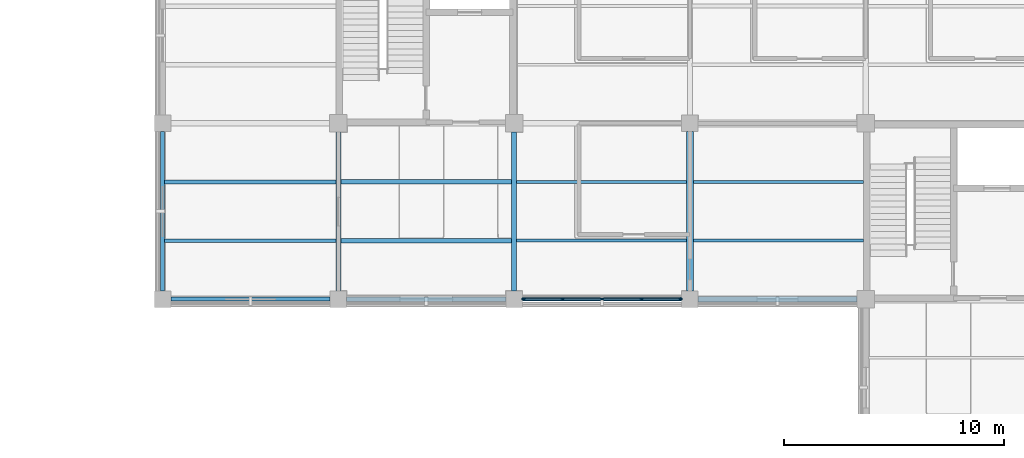
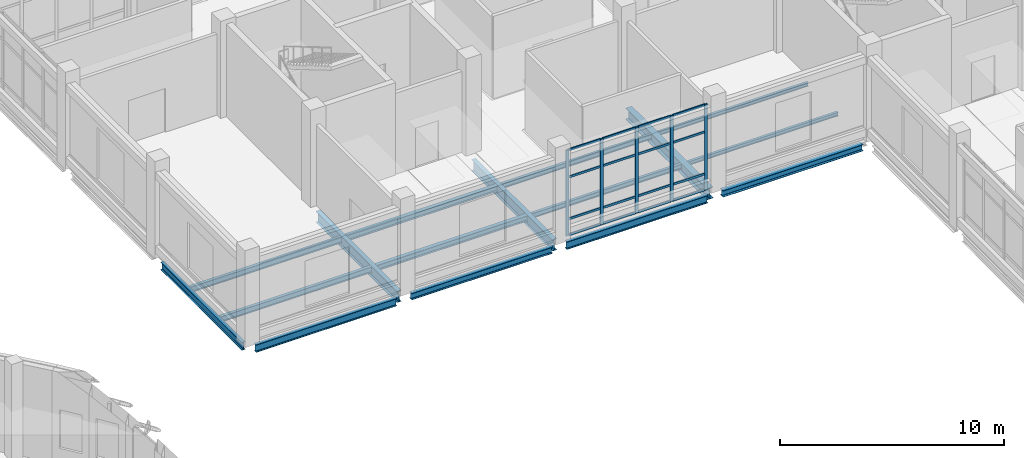
# One storey, part 42 of 105: 21 members, 16 beams, 1 element without a shape of its own.
"""IFC4 building model written with IfcOpenShell, lengths in metres."""

from ifc_helpers import new_model, si_unit, derived_unit, direction, frame, origin, origin_2d, place, context, subcontext, project, spatial, rectangle, i_section, extrude, material, layer, layer_set, material_profile, profile_set, type_object, element, aggregate, save


model = new_model("IFC4")

# Units and contexts
model_context = context("Model", 3, precision=1e-05, world=origin(), true_north=direction((0.0, 1.0)))
body_context = subcontext(model_context, "Body", "Model", "MODEL_VIEW")
ifc_project = project(units=[si_unit("LENGTHUNIT", "METRE"), si_unit("AREAUNIT", "SQUARE_METRE"), si_unit("VOLUMEUNIT", "CUBIC_METRE"), si_unit("PLANEANGLEUNIT", "RADIAN"), si_unit("MASSUNIT", "GRAM", prefix="KILO"), derived_unit("THERMALTRANSMITTANCEUNIT", [(si_unit("MASSUNIT", "GRAM", prefix="KILO"), 1), (si_unit("TIMEUNIT", "SECOND"), -3), (si_unit("THERMODYNAMICTEMPERATUREUNIT", "KELVIN"), -1)])], contexts=[model_context])

# Site, building, storey
site_placement = place(None, origin())
site = spatial("IfcSite", under=ifc_project, at=site_placement, CompositionType="ELEMENT")
building_placement = place(site_placement, origin())
building = spatial("IfcBuilding", under=site, at=building_placement, Name="Veyamyaing Civic Hall", CompositionType="ELEMENT")
storey_placement = place(building_placement, origin())
storey = spatial("IfcBuildingStorey", under=building, at=storey_placement, Name="L00", CompositionType="ELEMENT", Elevation=0.0)

# Beams
ifc_material_1 = material(Name="Steel ASTM A992", Category="steel")
ifc_material_profile_1 = material_profile(ifc_material_1, i_section(OverallWidth=0.22998046875, OverallDepth=0.616943359375, WebThickness=0.01318359375, FlangeThickness=0.022216796875, FilletRadius=0.012939453125, at=origin_2d()), Name="W610X140")
ifc_profile_set_1 = profile_set([ifc_material_profile_1], Name="Steel ASTM A992")
beam_type_1 = type_object("IfcBeamType", Name="B-05", PredefinedType="BEAM", material=ifc_profile_set_1)
beam_1_placement = place(storey_placement, frame((136.0, 88.375, -0.58349609375), z_axis=(0.0, 1.0, 0.0), x_axis=(-1.0, 0.0, 0.0)))
element("IfcBeam", 1, at=beam_1_placement, inside=storey, type_object=beam_type_1, Name="Girder B-05 L00 Grid 18 M-N", PredefinedType="BEAM", context=body_context, shape_type="SweptSolid", body=[
    extrude(i_section(OverallWidth=0.22998046875, OverallDepth=0.616943359375, WebThickness=0.01318359375, FlangeThickness=0.022216796875, FilletRadius=0.012939453125, at=origin_2d()), origin(), (0.0, 0.0, 1.0), 7.22509765625),
])
ifc_material_profile_2 = material_profile(ifc_material_1, i_section(OverallWidth=0.22802734375, OverallDepth=0.60791015625, WebThickness=0.01123046875, FlangeThickness=0.017333984375, FilletRadius=0.012939453125, at=origin_2d()), Name="W610X113")
ifc_profile_set_2 = profile_set([ifc_material_profile_2], Name="Steel ASTM A992")
beam_type_2 = type_object("IfcBeamType", Name="B-06", PredefinedType="BEAM", material=ifc_profile_set_2)
beam_2_placement = place(storey_placement, frame((144.0, 88.375, -0.5791015625), z_axis=(0.0, 1.0, 0.0), x_axis=(-1.0, 0.0, 0.0)))
element("IfcBeam", 2, at=beam_2_placement, inside=storey, type_object=beam_type_2, Name="Girder B-06 L00 Grid 19 M-N", PredefinedType="BEAM", context=body_context, shape_type="SweptSolid", body=[
    extrude(i_section(OverallWidth=0.22802734375, OverallDepth=0.60791015625, WebThickness=0.01123046875, FlangeThickness=0.017333984375, FilletRadius=0.012939453125, at=origin_2d()), origin(), (0.0, 0.0, 1.0), 7.22509765625),
])
ifc_material_profile_3 = material_profile(ifc_material_1, i_section(OverallWidth=0.179931640625, OverallDepth=0.4130859375, WebThickness=0.009765625, FlangeThickness=0.01611328125, FilletRadius=0.010009765625, at=origin_2d()), Name="W410X74")
ifc_profile_set_3 = profile_set([ifc_material_profile_3], Name="Steel ASTM A992")
beam_type_3 = type_object("IfcBeamType", Name="B-10", PredefinedType="SPANDREL", material=ifc_profile_set_3)
for number, where, z_axis, x_axis, name in (
    (3, (128.375, 88.0, -0.4814453125), (1.0, 0.0, 0.0), (0.0, 1.0, 0.0), "Girder B-10 L00 Grid M 17-18"),
    (4, (128.0, 88.375, -0.4814453125), (0.0, 1.0, 0.0), (-1.0, 0.0, 0.0), "Girder B-10 L00 Grid 17 M-N"),
):
    element("IfcBeam", number, at=place(storey_placement, frame(where, z_axis=z_axis, x_axis=x_axis)), inside=storey, type_object=beam_type_3, Name=name, PredefinedType="SPANDREL", context=body_context, shape_type="SweptSolid", body=[
        extrude(i_section(OverallWidth=0.179931640625, OverallDepth=0.4130859375, WebThickness=0.009765625, FlangeThickness=0.01611328125, FilletRadius=0.010009765625, at=origin_2d()), origin(), (0.0, 0.0, 1.0), 7.25),
    ])
ifc_material_profile_4 = material_profile(ifc_material_1, i_section(OverallWidth=0.2041015625, OverallDepth=0.35009765625, WebThickness=0.0078125, FlangeThickness=0.01513671875, FilletRadius=0.010009765625, at=origin_2d()), Name="W360X72")
ifc_profile_set_4 = profile_set([ifc_material_profile_4], Name="Steel ASTM A992")
beam_type_4 = type_object("IfcBeamType", Name="B-11", PredefinedType="SPANDREL", material=ifc_profile_set_4)
beam_3_placement = place(storey_placement, frame((136.375, 88.0, -0.449951171875), z_axis=(1.0, 0.0, 0.0), x_axis=(0.0, 1.0, 0.0)))
element("IfcBeam", 5, at=beam_3_placement, inside=storey, type_object=beam_type_4, Name="Girder B-11 L00 Grid M 18-19", PredefinedType="SPANDREL", context=body_context, shape_type="SweptSolid", body=[
    extrude(i_section(OverallWidth=0.2041015625, OverallDepth=0.35009765625, WebThickness=0.0078125, FlangeThickness=0.01513671875, FilletRadius=0.010009765625, at=origin_2d()), origin(), (0.0, 0.0, 1.0), 7.25),
])
ifc_material_profile_5 = material_profile(ifc_material_1, i_section(OverallWidth=0.324951171875, OverallDepth=0.615966796875, WebThickness=0.013916015625, FlangeThickness=0.021484375, FilletRadius=0.013916015625, at=origin_2d()), Name="W610X174")
ifc_profile_set_5 = profile_set([ifc_material_profile_5], Name="Steel ASTM A992")
beam_type_5 = type_object("IfcBeamType", Name="B-15", PredefinedType="BEAM", material=ifc_profile_set_5)
beam_4_placement = place(storey_placement, frame((152.0, 88.375, -0.5830078125), z_axis=(0.0, 1.0, 0.0), x_axis=(-1.0, 0.0, 0.0)))
element("IfcBeam", 6, at=beam_4_placement, inside=storey, type_object=beam_type_5, Name="Girder B-15 L00 Grid 20 M-N", PredefinedType="BEAM", context=body_context, shape_type="SweptSolid", body=[
    extrude(i_section(OverallWidth=0.324951171875, OverallDepth=0.615966796875, WebThickness=0.013916015625, FlangeThickness=0.021484375, FilletRadius=0.013916015625, at=origin_2d()), origin(), (0.0, 0.0, 1.0), 7.25),
])
ifc_material_profile_6 = material_profile(ifc_material_1, i_section(OverallWidth=0.180908203125, OverallDepth=0.4169921875, WebThickness=0.010986328125, FlangeThickness=0.018310546875, FilletRadius=0.010009765625, at=origin_2d()), Name="W410X85")
ifc_profile_set_6 = profile_set([ifc_material_profile_6], Name="Steel ASTM A992")
beam_type_6 = type_object("IfcBeamType", Name="B-19", PredefinedType="SPANDREL", material=ifc_profile_set_6)
beam_5_placement = place(storey_placement, frame((144.375, 88.0, -0.4833984375), z_axis=(1.0, 0.0, 0.0), x_axis=(0.0, 1.0, 0.0)))
element("IfcBeam", 7, at=beam_5_placement, inside=storey, type_object=beam_type_6, Name="Girder B-19 L00 Grid M 19-20", PredefinedType="SPANDREL", context=body_context, shape_type="SweptSolid", body=[
    extrude(i_section(OverallWidth=0.180908203125, OverallDepth=0.4169921875, WebThickness=0.010986328125, FlangeThickness=0.018310546875, FilletRadius=0.010009765625, at=origin_2d()), origin(), (0.0, 0.0, 1.0), 7.25),
])
ifc_material_profile_7 = material_profile(ifc_material_1, i_section(OverallWidth=0.25390625, OverallDepth=0.35302734375, WebThickness=0.009521484375, FlangeThickness=0.016357421875, FilletRadius=0.011962890625, at=origin_2d()), Name="W360X91")
ifc_profile_set_7 = profile_set([ifc_material_profile_7], Name="Steel ASTM A992")
beam_type_7 = type_object("IfcBeamType", Name="B-20", PredefinedType="SPANDREL", material=ifc_profile_set_7)
beam_6_placement = place(storey_placement, frame((152.375, 88.0, -0.451416015625), z_axis=(1.0, 0.0, 0.0), x_axis=(0.0, 1.0, 0.0)))
element("IfcBeam", 8, at=beam_6_placement, inside=storey, type_object=beam_type_7, Name="Girder B-20 L00 Grid M 20-21", PredefinedType="SPANDREL", context=body_context, shape_type="SweptSolid", body=[
    extrude(i_section(OverallWidth=0.25390625, OverallDepth=0.35302734375, WebThickness=0.009521484375, FlangeThickness=0.016357421875, FilletRadius=0.011962890625, at=origin_2d()), origin(), (0.0, 0.0, 1.0), 7.22509765625),
])

# Curtain wall, members
ifc_material_2 = material(Name="Anodised aluminium 6063-T6", Category="aluminium")
ifc_layer = layer(ifc_material_2, 0.159912109375, Name="Anodised aluminium 6063-T6")
ifc_layer_set = layer_set([ifc_layer], Name="Anodised aluminium 6063-T6")
curtain_wall_type = type_object("IfcCurtainWallType", Name="CW-01", PredefinedType="NOTDEFINED", material=ifc_layer_set)
curtain_wall_placement = place(storey_placement, origin())
curtain_wall = element("IfcCurtainWall", 9, at=curtain_wall_placement, inside=storey, type_object=curtain_wall_type, Name="Unitized curtain wall CW-01 L00 S 19.12", PredefinedType="NOTDEFINED")
ifc_material_profile_8 = material_profile(ifc_material_2, rectangle(XDim=0.06494140625, YDim=0.159912109375, at=origin_2d()), Name="ALU-MUL-65X160")
ifc_profile_set_8 = profile_set([ifc_material_profile_8], Name="Anodised aluminium 6063-T6")
member_type_1 = type_object("IfcMemberType", Name="CWM-01", PredefinedType="MULLION", material=ifc_profile_set_8)
member_1_placement = place(storey_placement, frame((144.4375, 88.0, 0.0), z_axis=(0.0, 0.0, 1.0), x_axis=(0.0, 1.0, 0.0)))
member_1 = element("IfcMember", 10, at=member_1_placement, type_object=member_type_1, Name="CW-01 mullion 1", PredefinedType="MULLION", context=body_context, shape_type="SweptSolid", body=[
    extrude(rectangle(XDim=0.06494140625, YDim=0.159912109375, at=origin_2d()), origin(), (0.0, 0.0, 1.0), 4.674072265625),
])
member_2_placement = place(storey_placement, frame((146.202392578125, 88.0, 0.0), z_axis=(0.0, 0.0, 1.0), x_axis=(0.0, 1.0, 0.0)))
member_2 = element("IfcMember", 11, at=member_2_placement, type_object=member_type_1, Name="CW-01 mullion 2", PredefinedType="MULLION", context=body_context, shape_type="SweptSolid", body=[
    extrude(rectangle(XDim=0.06494140625, YDim=0.159912109375, at=origin_2d()), origin(), (0.0, 0.0, 1.0), 4.674072265625),
])
member_3_placement = place(storey_placement, frame((148.0, 88.0, 0.0), z_axis=(0.0, 0.0, 1.0), x_axis=(0.0, 1.0, 0.0)))
member_3 = element("IfcMember", 12, at=member_3_placement, type_object=member_type_1, Name="CW-01 mullion 3", PredefinedType="MULLION", context=body_context, shape_type="SweptSolid", body=[
    extrude(rectangle(XDim=0.06494140625, YDim=0.159912109375, at=origin_2d()), origin(), (0.0, 0.0, 1.0), 4.674072265625),
])
member_4_placement = place(storey_placement, frame((149.797607421875, 88.0, 0.0), z_axis=(0.0, 0.0, 1.0), x_axis=(0.0, 1.0, 0.0)))
member_4 = element("IfcMember", 13, at=member_4_placement, type_object=member_type_1, Name="CW-01 mullion 4", PredefinedType="MULLION", context=body_context, shape_type="SweptSolid", body=[
    extrude(rectangle(XDim=0.06494140625, YDim=0.159912109375, at=origin_2d()), origin(), (0.0, 0.0, 1.0), 4.674072265625),
])
member_5_placement = place(storey_placement, frame((151.5625, 88.0, 0.0), z_axis=(0.0, 0.0, 1.0), x_axis=(0.0, 1.0, 0.0)))
member_5 = element("IfcMember", 14, at=member_5_placement, type_object=member_type_1, Name="CW-01 mullion 5", PredefinedType="MULLION", context=body_context, shape_type="SweptSolid", body=[
    extrude(rectangle(XDim=0.06494140625, YDim=0.159912109375, at=origin_2d()), origin(), (0.0, 0.0, 1.0), 4.674072265625),
])
ifc_material_profile_9 = material_profile(ifc_material_2, rectangle(XDim=0.06494140625, YDim=0.1201171875, at=origin_2d()), Name="ALU-TRN-65X120")
ifc_profile_set_9 = profile_set([ifc_material_profile_9], Name="Anodised aluminium 6063-T6")
member_type_2 = type_object("IfcMemberType", Name="CWT-01", PredefinedType="USERDEFINED", material=ifc_profile_set_9)
member_6_placement = place(storey_placement, frame((144.469970703125, 88.0, 0.032470703125), z_axis=(1.0, 0.0, 0.0), x_axis=(0.0, 1.0, 0.0)))
member_6 = element("IfcMember", 15, at=member_6_placement, type_object=member_type_2, Name="CW-01 transom 1.1", ObjectType="TRANSOM", PredefinedType="USERDEFINED", context=body_context, shape_type="SweptSolid", body=[
    extrude(rectangle(XDim=0.06494140625, YDim=0.1201171875, at=origin_2d()), origin(), (0.0, 0.0, 1.0), 1.699951171875),
])
member_7_placement = place(storey_placement, frame((144.469970703125, 88.0, 0.89990234375), z_axis=(1.0, 0.0, 0.0), x_axis=(0.0, 1.0, 0.0)))
member_7 = element("IfcMember", 16, at=member_7_placement, type_object=member_type_2, Name="CW-01 transom 1.2", ObjectType="TRANSOM", PredefinedType="USERDEFINED", context=body_context, shape_type="SweptSolid", body=[
    extrude(rectangle(XDim=0.06494140625, YDim=0.1201171875, at=origin_2d()), origin(), (0.0, 0.0, 1.0), 1.699951171875),
])
member_8_placement = place(storey_placement, frame((144.469970703125, 88.0, 3.17822265625), z_axis=(1.0, 0.0, 0.0), x_axis=(0.0, 1.0, 0.0)))
member_8 = element("IfcMember", 17, at=member_8_placement, type_object=member_type_2, Name="CW-01 transom 1.3", ObjectType="TRANSOM", PredefinedType="USERDEFINED", context=body_context, shape_type="SweptSolid", body=[
    extrude(rectangle(XDim=0.06494140625, YDim=0.1201171875, at=origin_2d()), origin(), (0.0, 0.0, 1.0), 1.699951171875),
])
member_9_placement = place(storey_placement, frame((144.469970703125, 88.0, 4.6416015625), z_axis=(1.0, 0.0, 0.0), x_axis=(0.0, 1.0, 0.0)))
member_9 = element("IfcMember", 18, at=member_9_placement, type_object=member_type_2, Name="CW-01 transom 1.4", ObjectType="TRANSOM", PredefinedType="USERDEFINED", context=body_context, shape_type="SweptSolid", body=[
    extrude(rectangle(XDim=0.06494140625, YDim=0.1201171875, at=origin_2d()), origin(), (0.0, 0.0, 1.0), 1.699951171875),
])
member_10_placement = place(storey_placement, frame((146.235107421875, 88.0, 0.032470703125), z_axis=(1.0, 0.0, 0.0), x_axis=(0.0, 1.0, 0.0)))
member_10 = element("IfcMember", 19, at=member_10_placement, type_object=member_type_2, Name="CW-01 transom 2.1", ObjectType="TRANSOM", PredefinedType="USERDEFINED", context=body_context, shape_type="SweptSolid", body=[
    extrude(rectangle(XDim=0.06494140625, YDim=0.1201171875, at=origin_2d()), origin(), (0.0, 0.0, 1.0), 1.732421875),
])
member_11_placement = place(storey_placement, frame((146.235107421875, 88.0, 0.89990234375), z_axis=(1.0, 0.0, 0.0), x_axis=(0.0, 1.0, 0.0)))
member_11 = element("IfcMember", 20, at=member_11_placement, type_object=member_type_2, Name="CW-01 transom 2.2", ObjectType="TRANSOM", PredefinedType="USERDEFINED", context=body_context, shape_type="SweptSolid", body=[
    extrude(rectangle(XDim=0.06494140625, YDim=0.1201171875, at=origin_2d()), origin(), (0.0, 0.0, 1.0), 1.732421875),
])
member_12_placement = place(storey_placement, frame((146.235107421875, 88.0, 3.17822265625), z_axis=(1.0, 0.0, 0.0), x_axis=(0.0, 1.0, 0.0)))
member_12 = element("IfcMember", 21, at=member_12_placement, type_object=member_type_2, Name="CW-01 transom 2.3", ObjectType="TRANSOM", PredefinedType="USERDEFINED", context=body_context, shape_type="SweptSolid", body=[
    extrude(rectangle(XDim=0.06494140625, YDim=0.1201171875, at=origin_2d()), origin(), (0.0, 0.0, 1.0), 1.732421875),
])
member_13_placement = place(storey_placement, frame((146.235107421875, 88.0, 4.6416015625), z_axis=(1.0, 0.0, 0.0), x_axis=(0.0, 1.0, 0.0)))
member_13 = element("IfcMember", 22, at=member_13_placement, type_object=member_type_2, Name="CW-01 transom 2.4", ObjectType="TRANSOM", PredefinedType="USERDEFINED", context=body_context, shape_type="SweptSolid", body=[
    extrude(rectangle(XDim=0.06494140625, YDim=0.1201171875, at=origin_2d()), origin(), (0.0, 0.0, 1.0), 1.732421875),
])
member_14_placement = place(storey_placement, frame((148.032470703125, 88.0, 0.032470703125), z_axis=(1.0, 0.0, 0.0), x_axis=(0.0, 1.0, 0.0)))
member_14 = element("IfcMember", 23, at=member_14_placement, type_object=member_type_2, Name="CW-01 transom 3.1", ObjectType="TRANSOM", PredefinedType="USERDEFINED", context=body_context, shape_type="SweptSolid", body=[
    extrude(rectangle(XDim=0.06494140625, YDim=0.1201171875, at=origin_2d()), origin(), (0.0, 0.0, 1.0), 1.732421875),
])
member_15_placement = place(storey_placement, frame((148.032470703125, 88.0, 0.89990234375), z_axis=(1.0, 0.0, 0.0), x_axis=(0.0, 1.0, 0.0)))
member_15 = element("IfcMember", 24, at=member_15_placement, type_object=member_type_2, Name="CW-01 transom 3.2", ObjectType="TRANSOM", PredefinedType="USERDEFINED", context=body_context, shape_type="SweptSolid", body=[
    extrude(rectangle(XDim=0.06494140625, YDim=0.1201171875, at=origin_2d()), origin(), (0.0, 0.0, 1.0), 1.732421875),
])
member_16_placement = place(storey_placement, frame((148.032470703125, 88.0, 3.17822265625), z_axis=(1.0, 0.0, 0.0), x_axis=(0.0, 1.0, 0.0)))
member_16 = element("IfcMember", 25, at=member_16_placement, type_object=member_type_2, Name="CW-01 transom 3.3", ObjectType="TRANSOM", PredefinedType="USERDEFINED", context=body_context, shape_type="SweptSolid", body=[
    extrude(rectangle(XDim=0.06494140625, YDim=0.1201171875, at=origin_2d()), origin(), (0.0, 0.0, 1.0), 1.732421875),
])
member_17_placement = place(storey_placement, frame((148.032470703125, 88.0, 4.6416015625), z_axis=(1.0, 0.0, 0.0), x_axis=(0.0, 1.0, 0.0)))
member_17 = element("IfcMember", 26, at=member_17_placement, type_object=member_type_2, Name="CW-01 transom 3.4", ObjectType="TRANSOM", PredefinedType="USERDEFINED", context=body_context, shape_type="SweptSolid", body=[
    extrude(rectangle(XDim=0.06494140625, YDim=0.1201171875, at=origin_2d()), origin(), (0.0, 0.0, 1.0), 1.732421875),
])
member_18_placement = place(storey_placement, frame((149.830078125, 88.0, 0.032470703125), z_axis=(1.0, 0.0, 0.0), x_axis=(0.0, 1.0, 0.0)))
member_18 = element("IfcMember", 27, at=member_18_placement, type_object=member_type_2, Name="CW-01 transom 4.1", ObjectType="TRANSOM", PredefinedType="USERDEFINED", context=body_context, shape_type="SweptSolid", body=[
    extrude(rectangle(XDim=0.06494140625, YDim=0.1201171875, at=origin_2d()), origin(), (0.0, 0.0, 1.0), 1.699951171875),
])
member_19_placement = place(storey_placement, frame((149.830078125, 88.0, 0.89990234375), z_axis=(1.0, 0.0, 0.0), x_axis=(0.0, 1.0, 0.0)))
member_19 = element("IfcMember", 28, at=member_19_placement, type_object=member_type_2, Name="CW-01 transom 4.2", ObjectType="TRANSOM", PredefinedType="USERDEFINED", context=body_context, shape_type="SweptSolid", body=[
    extrude(rectangle(XDim=0.06494140625, YDim=0.1201171875, at=origin_2d()), origin(), (0.0, 0.0, 1.0), 1.699951171875),
])
member_20_placement = place(storey_placement, frame((149.830078125, 88.0, 3.17822265625), z_axis=(1.0, 0.0, 0.0), x_axis=(0.0, 1.0, 0.0)))
member_20 = element("IfcMember", 29, at=member_20_placement, type_object=member_type_2, Name="CW-01 transom 4.3", ObjectType="TRANSOM", PredefinedType="USERDEFINED", context=body_context, shape_type="SweptSolid", body=[
    extrude(rectangle(XDim=0.06494140625, YDim=0.1201171875, at=origin_2d()), origin(), (0.0, 0.0, 1.0), 1.699951171875),
])
member_21_placement = place(storey_placement, frame((149.830078125, 88.0, 4.6416015625), z_axis=(1.0, 0.0, 0.0), x_axis=(0.0, 1.0, 0.0)))
member_21 = element("IfcMember", 30, at=member_21_placement, type_object=member_type_2, Name="CW-01 transom 4.4", ObjectType="TRANSOM", PredefinedType="USERDEFINED", context=body_context, shape_type="SweptSolid", body=[
    extrude(rectangle(XDim=0.06494140625, YDim=0.1201171875, at=origin_2d()), origin(), (0.0, 0.0, 1.0), 1.699951171875),
])
aggregate(curtain_wall, [member_1, member_2, member_3, member_4, member_5, member_6, member_7, member_8, member_9, member_10, member_11, member_12, member_13, member_14, member_15, member_16, member_17, member_18, member_19, member_20, member_21])

# Beams
ifc_material_profile_10 = material_profile(ifc_material_1, i_section(OverallWidth=0.1650390625, OverallDepth=0.31005859375, WebThickness=0.005859375, FlangeThickness=0.009765625, FilletRadius=0.010009765625, at=origin_2d()), Name="W310X39")
ifc_profile_set_10 = profile_set([ifc_material_profile_10], Name="Steel ASTM A992")
beam_type_8 = type_object("IfcBeamType", Name="J-05", PredefinedType="JOIST", material=ifc_profile_set_10)
for number, where, z_axis, x_axis, name in (
    (31, (128.087890625, 90.666748046875, -0.429931640625), (1.0, 0.0, 0.0), (0.0, 1.0, 0.0), "Composite floor joist J-05 L00 17.12.1"),
    (32, (128.087890625, 93.333251953125, -0.429931640625), (1.0, 0.0, 0.0), (0.0, 1.0, 0.0), "Composite floor joist J-05 L00 17.12.2"),
):
    element("IfcBeam", number, at=place(storey_placement, frame(where, z_axis=z_axis, x_axis=x_axis)), inside=storey, type_object=beam_type_8, Name=name, PredefinedType="JOIST", context=body_context, shape_type="SweptSolid", body=[
        extrude(i_section(OverallWidth=0.1650390625, OverallDepth=0.31005859375, WebThickness=0.005859375, FlangeThickness=0.009765625, FilletRadius=0.010009765625, at=origin_2d()), origin(), (0.0, 0.0, 1.0), 7.799072265625),
    ])
ifc_material_profile_11 = material_profile(ifc_material_1, i_section(OverallWidth=0.2041015625, OverallDepth=0.305908203125, WebThickness=0.008544921875, FlangeThickness=0.0146484375, FilletRadius=0.010009765625, at=origin_2d()), Name="W310X67")
ifc_profile_set_11 = profile_set([ifc_material_profile_11], Name="Steel ASTM A992")
beam_type_9 = type_object("IfcBeamType", Name="J-06", PredefinedType="JOIST", material=ifc_profile_set_11)
for number, where, z_axis, x_axis, name in (
    (33, (136.113037109375, 90.666748046875, -0.427978515625), (1.0, 0.0, 0.0), (0.0, 1.0, 0.0), "Composite floor joist J-06 L00 18.12.1"),
    (34, (136.113037109375, 93.333251953125, -0.427978515625), (1.0, 0.0, 0.0), (0.0, 1.0, 0.0), "Composite floor joist J-06 L00 18.12.2"),
):
    element("IfcBeam", number, at=place(storey_placement, frame(where, z_axis=z_axis, x_axis=x_axis)), inside=storey, type_object=beam_type_9, Name=name, PredefinedType="JOIST", context=body_context, shape_type="SweptSolid", body=[
        extrude(i_section(OverallWidth=0.2041015625, OverallDepth=0.305908203125, WebThickness=0.008544921875, FlangeThickness=0.0146484375, FilletRadius=0.010009765625, at=origin_2d()), origin(), (0.0, 0.0, 1.0), 7.77490234375),
    ])
ifc_material_profile_12 = material_profile(ifc_material_1, i_section(OverallWidth=0.14794921875, OverallDepth=0.26611328125, WebThickness=0.007568359375, FlangeThickness=0.012939453125, FilletRadius=0.010009765625, at=origin_2d()), Name="W250X45")
ifc_profile_set_12 = profile_set([ifc_material_profile_12], Name="Steel ASTM A992")
beam_type_10 = type_object("IfcBeamType", Name="J-07", PredefinedType="JOIST", material=ifc_profile_set_12)
for number, where, z_axis, x_axis, name in (
    (35, (144.112060546875, 90.666748046875, -0.407958984375), (1.0, 0.0, 0.0), (0.0, 1.0, 0.0), "Composite floor joist J-07 L00 19.12.1"),
    (36, (144.112060546875, 93.333251953125, -0.407958984375), (1.0, 0.0, 0.0), (0.0, 1.0, 0.0), "Composite floor joist J-07 L00 19.12.2"),
):
    element("IfcBeam", number, at=place(storey_placement, frame(where, z_axis=z_axis, x_axis=x_axis)), inside=storey, type_object=beam_type_10, Name=name, PredefinedType="JOIST", context=body_context, shape_type="SweptSolid", body=[
        extrude(i_section(OverallWidth=0.14794921875, OverallDepth=0.26611328125, WebThickness=0.007568359375, FlangeThickness=0.012939453125, FilletRadius=0.010009765625, at=origin_2d()), origin(), (0.0, 0.0, 1.0), 7.7275390625),
    ])
ifc_material_profile_13 = material_profile(ifc_material_1, i_section(OverallWidth=0.133056640625, OverallDepth=0.20703125, WebThickness=0.005859375, FlangeThickness=0.00830078125, FilletRadius=0.010009765625, at=origin_2d()), Name="W200X27")
ifc_profile_set_13 = profile_set([ifc_material_profile_13], Name="Steel ASTM A992")
beam_type_11 = type_object("IfcBeamType", Name="J-08", PredefinedType="JOIST", material=ifc_profile_set_13)
for number, where, z_axis, x_axis, name in (
    (37, (152.160400390625, 90.666748046875, -0.37841796875), (1.0, 0.0, 0.0), (0.0, 1.0, 0.0), "Composite floor joist J-08 L00 20.12.1"),
    (38, (152.160400390625, 93.333251953125, -0.37841796875), (1.0, 0.0, 0.0), (0.0, 1.0, 0.0), "Composite floor joist J-08 L00 20.12.2"),
):
    element("IfcBeam", number, at=place(storey_placement, frame(where, z_axis=z_axis, x_axis=x_axis)), inside=storey, type_object=beam_type_11, Name=name, PredefinedType="JOIST", context=body_context, shape_type="SweptSolid", body=[
        extrude(i_section(OverallWidth=0.133056640625, OverallDepth=0.20703125, WebThickness=0.005859375, FlangeThickness=0.00830078125, FilletRadius=0.010009765625, at=origin_2d()), origin(), (0.0, 0.0, 1.0), 7.734619140625),
    ])

save(model, "model.ifc")
